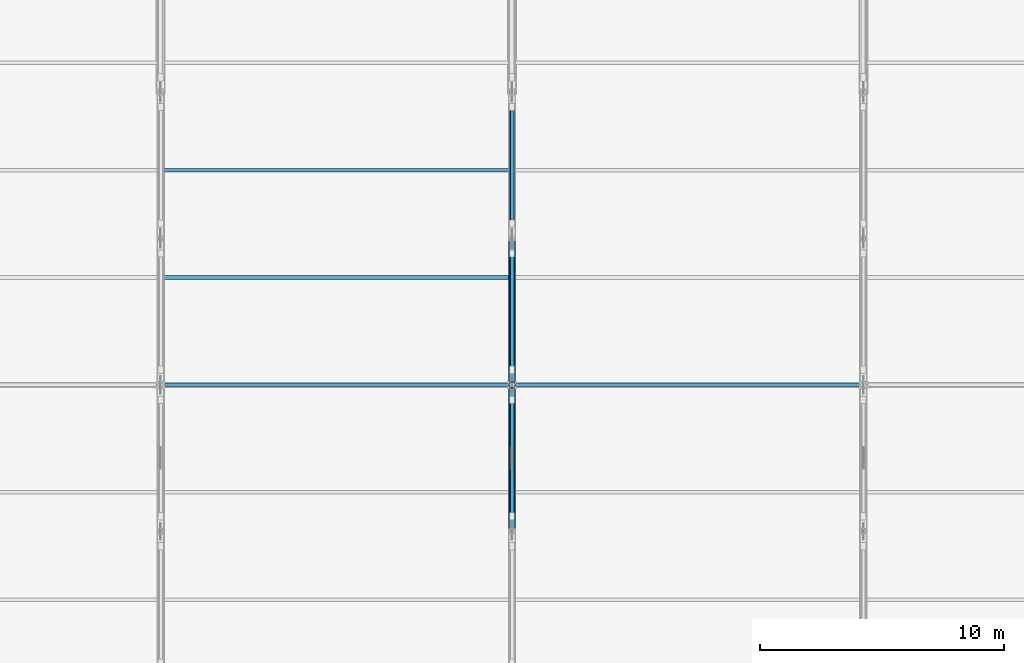
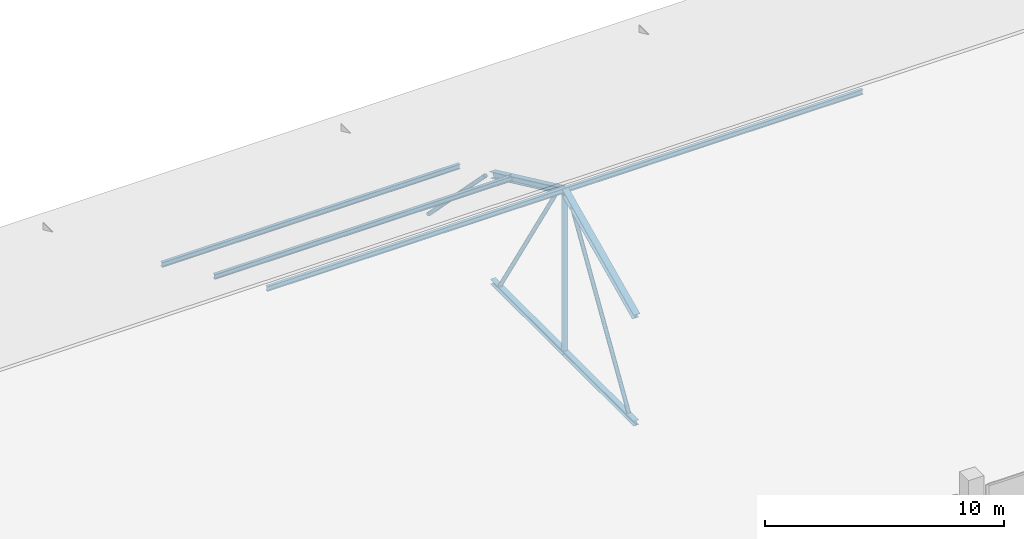
# One storey, part 105 of 141: 12 members, 1 element without a shape of its own.
"""IFC4 building model written with IfcOpenShell, lengths in metres."""

from ifc_helpers import new_model, si_unit, direction, frame, origin, origin_2d, place, context, subcontext, project, spatial, hollow_circle, i_section, extrude, material, material_profile, profile_set, type_object, element, aggregate, save


model = new_model("IFC4")

# Units and contexts
model_context = context("Model", 3, precision=1e-05, world=origin(), true_north=direction((0.0, 1.0)))
body_context = subcontext(model_context, "Body", "Model", "MODEL_VIEW")
ifc_project = project(units=[si_unit("LENGTHUNIT", "METRE"), si_unit("AREAUNIT", "SQUARE_METRE"), si_unit("VOLUMEUNIT", "CUBIC_METRE"), si_unit("PLANEANGLEUNIT", "RADIAN"), si_unit("MASSUNIT", "GRAM", prefix="KILO")], contexts=[model_context])

# Site, building, storey
site_placement = place(None, origin())
site = spatial("IfcSite", under=ifc_project, at=site_placement, CompositionType="ELEMENT")
building_placement = place(site_placement, origin())
building = spatial("IfcBuilding", under=site, at=building_placement, Name="Seraya Terrace Polytechnic", CompositionType="ELEMENT")
storey_placement = place(building_placement, frame((0.0, 0.0, 14.39990234375)))
storey = spatial("IfcBuildingStorey", under=building, at=storey_placement, Name="L03", CompositionType="ELEMENT", Elevation=14.39990234375)

# Assembly, members
ifc_material = material(Name="Steel S355J2", Category="steel")
element_assembly_type = type_object("IfcElementAssemblyType", Name="TR-A1", PredefinedType="TRUSS", material=ifc_material)
assembly_placement = place(storey_placement, origin())
assembly = element("IfcElementAssembly", 1, at=assembly_placement, inside=storey, type_object=element_assembly_type, Name="Pitched steel roof truss TR-05", AssemblyPlace="SITE", PredefinedType="TRUSS")
ifc_material_profile_1 = material_profile(ifc_material, i_section(OverallWidth=0.25390625, OverallDepth=0.25390625, WebThickness=0.0107421875, FlangeThickness=0.017333984375, at=origin_2d()), Name="UKC 254x254x10.7x17.3")
ifc_profile_set_1 = profile_set([ifc_material_profile_1], Name="Steel S355J2")
member_type_1 = type_object("IfcMemberType", Name="BC-02", PredefinedType="CHORD", material=ifc_profile_set_1)
member_1_placement = place(storey_placement, frame((72.0, 91.199951171875, 0.150146484375), z_axis=(0.0, 1.0, 0.0), x_axis=(-1.0, 0.0, 0.0)))
member_1 = element("IfcMember", 2, at=member_1_placement, type_object=member_type_1, Name="TR-05 bottom chord 3", PredefinedType="CHORD", context=body_context, shape_type="SweptSolid", body=[
    extrude(i_section(OverallWidth=0.25390625, OverallDepth=0.25390625, WebThickness=0.0107421875, FlangeThickness=0.017333984375, at=origin_2d()), origin(), (0.0, 0.0, 1.0), 6.0),
])
member_2_placement = place(storey_placement, frame((72.0, 97.199951171875, 0.150146484375), z_axis=(0.0, 1.0, 0.0), x_axis=(-1.0, 0.0, 0.0)))
member_2 = element("IfcMember", 3, at=member_2_placement, type_object=member_type_1, Name="TR-05 bottom chord 4", PredefinedType="CHORD", context=body_context, shape_type="SweptSolid", body=[
    extrude(i_section(OverallWidth=0.25390625, OverallDepth=0.25390625, WebThickness=0.0107421875, FlangeThickness=0.017333984375, at=origin_2d()), origin(), (0.0, 0.0, 1.0), 6.0),
])
ifc_material_profile_2 = material_profile(ifc_material, hollow_circle(Radius=0.096923828125, WallThickness=0.010009765625, at=origin_2d()), Name="CHS 193.7x10.0")
ifc_profile_set_2 = profile_set([ifc_material_profile_2], Name="Steel S355J2")
member_type_2 = type_object("IfcMemberType", Name="BR-02", PredefinedType="BRACE", material=ifc_profile_set_2)
member_3_placement = place(storey_placement, frame((72.0, 91.820068359375, 0.291015625), z_axis=(0.0, 0.528137409747, 0.84915892295), x_axis=(-1.0, 0.0, 0.0)))
member_3 = element("IfcMember", 4, at=member_3_placement, type_object=member_type_2, Name="TR-05 web diagonal 3", PredefinedType="BRACE", context=body_context, shape_type="SweptSolid", body=[
    extrude(hollow_circle(Radius=0.096923828125, WallThickness=0.010009765625, at=origin_2d()), origin(), (0.0, 0.0, 1.0), 9.012939453125),
])
member_4_placement = place(storey_placement, frame((72.0, 97.820068359375, 7.9443359375), z_axis=(0.0, 0.528137409747, -0.84915892295), x_axis=(-1.0, 0.0, 0.0)))
member_4 = element("IfcMember", 5, at=member_4_placement, type_object=member_type_2, Name="TR-05 web diagonal 4", PredefinedType="BRACE", context=body_context, shape_type="SweptSolid", body=[
    extrude(hollow_circle(Radius=0.096923828125, WallThickness=0.010009765625, at=origin_2d()), origin(), (0.0, 0.0, 1.0), 9.012939453125),
])
member_5_placement = place(storey_placement, frame((72.0, 103.820068359375, 5.144287109375), z_axis=(0.0, 0.700213947338, -0.713933069659), x_axis=(-1.0, 0.0, 0.0)))
member_5 = element("IfcMember", 6, at=member_5_placement, type_object=member_type_2, Name="TR-05 web diagonal 5", PredefinedType="BRACE", context=body_context, shape_type="SweptSolid", body=[
    extrude(hollow_circle(Radius=0.096923828125, WallThickness=0.010009765625, at=origin_2d()), origin(), (0.0, 0.0, 1.0), 6.7978515625),
])

# Members
ifc_material_profile_3 = material_profile(ifc_material, i_section(OverallWidth=0.14599609375, OverallDepth=0.25390625, WebThickness=0.007080078125, FlangeThickness=0.01416015625, at=origin_2d()), Name="UKB 254x146x7.2x14.2")
ifc_profile_set_3 = profile_set([ifc_material_profile_3], Name="Steel S355J2")
member_type_3 = type_object("IfcMemberType", Name="PR-01", PredefinedType="PURLIN", material=ifc_profile_set_3)
for number, where, z_axis, x_axis, name in (
    (7, (57.60009765625, 97.199951171875, 8.43017578125), (1.0, 0.0, 0.0), (0.0, 1.0, 0.0), "Workshop roof purlin PR-01 bay 4.6"),
    (8, (57.60009765625, 101.60009765625, 6.376953125), (1.0, 0.0, 0.0), (0.0, 1.0, 0.0), "Workshop roof purlin PR-01 bay 4.7"),
    (9, (57.60009765625, 106.0, 4.323486328125), (1.0, 0.0, 0.0), (0.0, 1.0, 0.0), "Workshop roof purlin PR-01 bay 4.8"),
    (10, (72.0, 97.199951171875, 8.43017578125), (1.0, 0.0, 0.0), (0.0, 1.0, 0.0), "Workshop roof purlin PR-01 bay 5.6"),
):
    element("IfcMember", number, at=place(storey_placement, frame(where, z_axis=z_axis, x_axis=x_axis)), inside=storey, type_object=member_type_3, Name=name, PredefinedType="PURLIN", context=body_context, shape_type="SweptSolid", body=[
        extrude(i_section(OverallWidth=0.14599609375, OverallDepth=0.25390625, WebThickness=0.007080078125, FlangeThickness=0.01416015625, at=origin_2d()), origin(), (0.0, 0.0, 1.0), 14.39990234375),
    ])

# Member
ifc_material_profile_4 = material_profile(ifc_material, hollow_circle(Radius=0.136474609375, WallThickness=0.012451171875, at=origin_2d()), Name="CHS 273.0x12.5")
ifc_profile_set_4 = profile_set([ifc_material_profile_4], Name="Steel S355J2")
member_type_4 = type_object("IfcMemberType", Name="ST-M1", PredefinedType="STRUT", material=ifc_profile_set_4)
member_6_placement = place(storey_placement, frame((72.0, 97.199951171875, 0.281005859375), z_axis=(0.0, 0.0, 1.0), x_axis=(1.0, 0.0, 0.0)))
member_6 = element("IfcMember", 11, at=member_6_placement, type_object=member_type_4, Name="TR-05 vertical strut 4", PredefinedType="STRUT", context=body_context, shape_type="SweptSolid", body=[
    extrude(hollow_circle(Radius=0.136474609375, WallThickness=0.012451171875, at=origin_2d()), origin(), (0.0, 0.0, 1.0), 7.962646484375),
])

ifc_material_profile_5 = material_profile(ifc_material, i_section(OverallWidth=0.304931640625, OverallDepth=0.304931640625, WebThickness=0.011962890625, FlangeThickness=0.019775390625, at=origin_2d()), Name="UKC 305x305x12.0x19.7")
ifc_profile_set_5 = profile_set([ifc_material_profile_5], Name="Steel S355J2")
member_type_5 = type_object("IfcMemberType", Name="TC-02", PredefinedType="CHORD", material=ifc_profile_set_5)
member_7_placement = place(storey_placement, frame((72.0, 91.199951171875, 5.60009765625), z_axis=(0.0, 0.906180313975, 0.422891521036), x_axis=(-1.0, 0.0, 0.0)))
member_7 = element("IfcMember", 12, at=member_7_placement, type_object=member_type_5, Name="TR-05 top chord 3", PredefinedType="CHORD", context=body_context, shape_type="SweptSolid", body=[
    extrude(i_section(OverallWidth=0.304931640625, OverallDepth=0.304931640625, WebThickness=0.011962890625, FlangeThickness=0.019775390625, at=origin_2d()), origin(), (0.0, 0.0, 1.0), 6.62109375),
])

member_8_placement = place(storey_placement, frame((72.0, 97.199951171875, 8.400146484375), z_axis=(0.0, 0.906180313975, -0.422891521036), x_axis=(-1.0, 0.0, 0.0)))
member_8 = element("IfcMember", 13, at=member_8_placement, type_object=member_type_5, Name="TR-05 top chord 4", PredefinedType="CHORD", context=body_context, shape_type="SweptSolid", body=[
    extrude(i_section(OverallWidth=0.304931640625, OverallDepth=0.304931640625, WebThickness=0.011962890625, FlangeThickness=0.019775390625, at=origin_2d()), origin(), (0.0, 0.0, 1.0), 6.62109375),
])

aggregate(assembly, [member_1, member_7, member_2, member_8, member_6, member_3, member_4, member_5])

save(model, "model.ifc")
